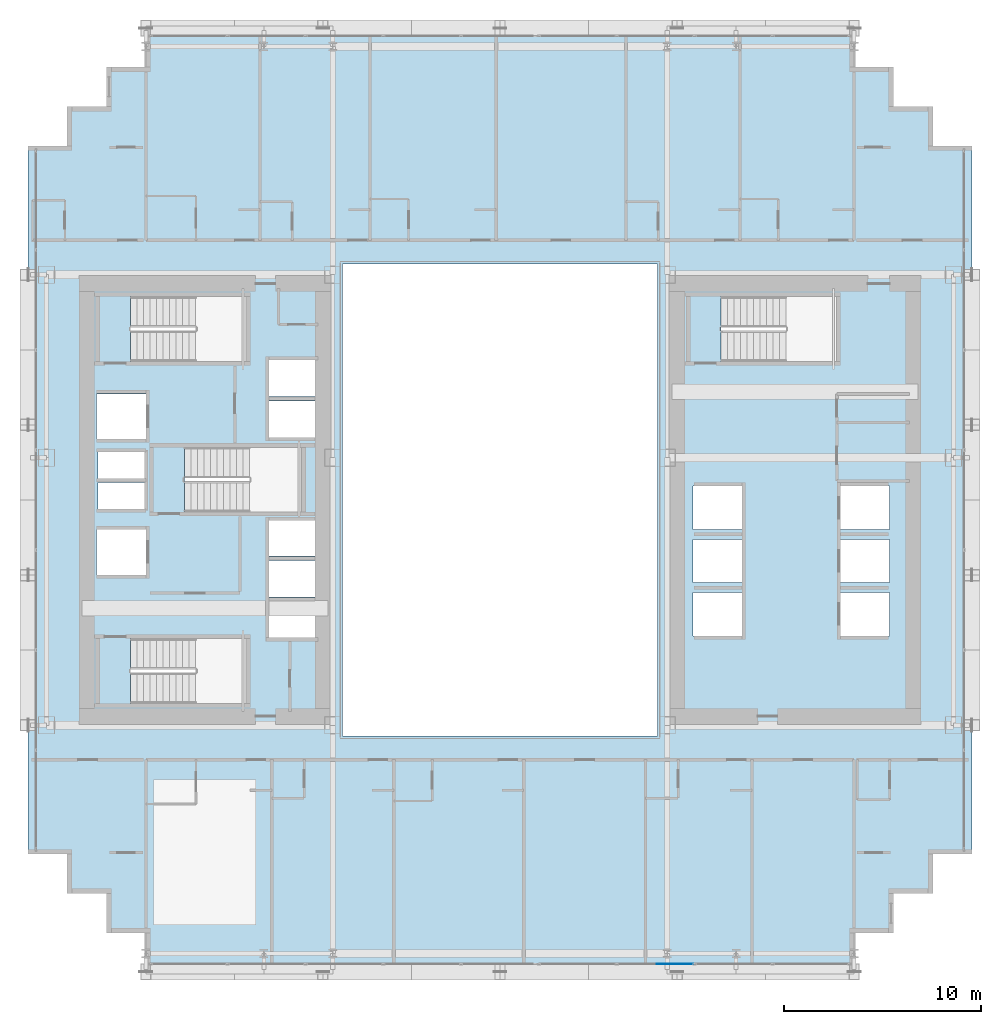
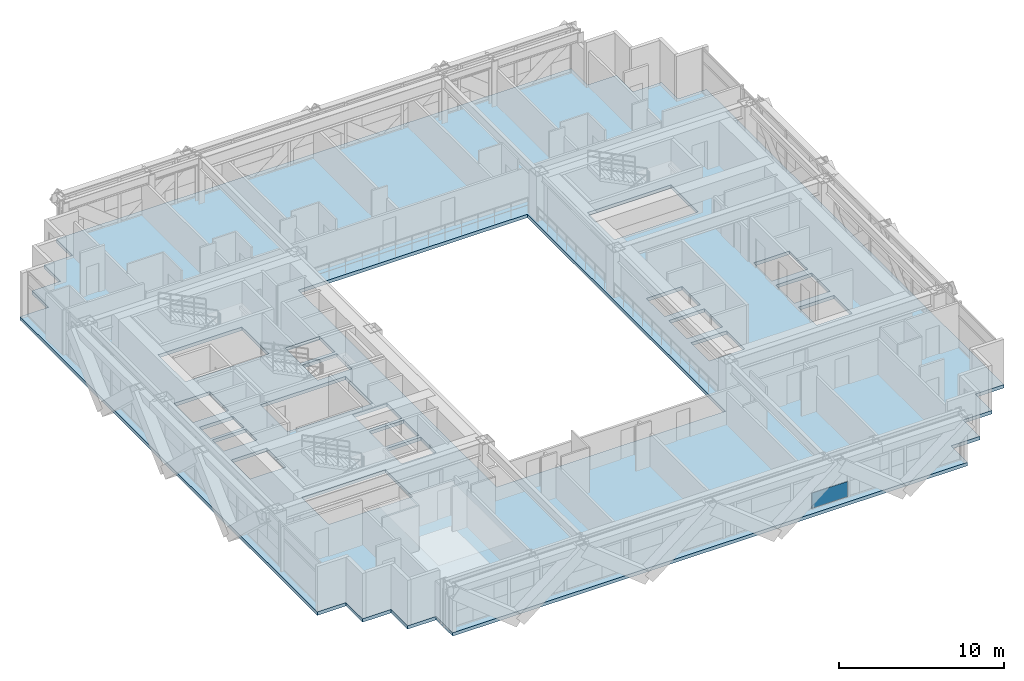
# One storey, part 25 of 38: 1 plate, 1 slab, 1 element without a shape of its own.
"""IFC4 building model written with IfcOpenShell, lengths in metres."""

from ifc_helpers import new_model, si_unit, direction, frame, origin, origin_2d, place, context, subcontext, project, spatial, polyline, rectangle, outline, extrude, source, transform, mapped, material, layer, layer_set, type_object, element, aggregate, save


model = new_model("IFC4")

# Units and contexts
model_context = context("Model", 3, precision=1e-05, world=origin(), true_north=direction((0.0, 1.0)))
body_context = subcontext(model_context, "Body", "Model", "MODEL_VIEW")
ifc_project = project(units=[si_unit("LENGTHUNIT", "METRE"), si_unit("AREAUNIT", "SQUARE_METRE"), si_unit("VOLUMEUNIT", "CUBIC_METRE"), si_unit("PLANEANGLEUNIT", "RADIAN"), si_unit("MASSUNIT", "GRAM", prefix="KILO")], contexts=[model_context])

# Site, building, storey
site_placement = place(None, origin())
site = spatial("IfcSite", under=ifc_project, at=site_placement, CompositionType="ELEMENT")
building_placement = place(site_placement, origin())
building = spatial("IfcBuilding", under=site, at=building_placement, Name="Ocotamira Hotel", CompositionType="ELEMENT")
storey_placement = place(building_placement, frame((0.0, 0.0, 45.60009765625)))
storey = spatial("IfcBuildingStorey", under=building, at=storey_placement, Name="L10", CompositionType="ELEMENT", Elevation=45.60009765625)

# Slab
ifc_material_1 = material(Name="Concrete C40/50", Category="concrete")
ifc_layer_1 = layer(ifc_material_1, 0.25)
ifc_layer_set_1 = layer_set([ifc_layer_1], Name="Concrete C40/50")
slab_type = type_object("IfcSlabType", Name="SLB-Z1-250", PredefinedType="FLOOR", material=ifc_layer_set_1)
slab_placement = place(storey_placement, frame((0.0, 0.0, -0.25)))
element("IfcSlab", 1, at=slab_placement, inside=storey, type_object=slab_type, Name="L10 Structural Floor Slab", PredefinedType="FLOOR", context=body_context, shape_type="SweptSolid", body=[
    extrude(outline(polyline([(14.0, 2.0), (50.0, 2.0), (50.0, 4.0), (52.0, 4.0), (52.0, 6.0), (54.0, 6.0), (54.0, 8.0), (56.0, 8.0), (56.0, 44.0), (54.0, 44.0), (54.0, 46.0), (52.0, 46.0), (52.0, 48.0), (50.0, 48.0), (50.0, 50.0), (14.0, 50.0), (14.0, 48.0), (12.0, 48.0), (12.0, 46.0), (10.0, 46.0), (10.0, 44.0), (8.0, 44.0), (8.0, 8.0), (10.0, 8.0), (10.0, 6.0), (12.0, 6.0), (12.0, 4.0), (14.0, 4.0), (14.0, 2.0)]), holes=[polyline([(24.0, 14.0), (40.0, 14.0), (40.0, 38.0), (24.0, 38.0), (24.0, 14.0)]), polyline([(13.22998046875, 15.669921875), (19.090087890625, 15.669921875), (19.090087890625, 18.949951171875), (13.22998046875, 18.949951171875), (13.22998046875, 15.669921875)]), polyline([(13.22998046875, 33.050048828125), (19.090087890625, 33.050048828125), (19.090087890625, 36.330078125), (13.22998046875, 36.330078125), (13.22998046875, 33.050048828125)]), polyline([(15.9599609375, 25.39990234375), (21.919921875, 25.39990234375), (21.919921875, 28.679931640625), (15.9599609375, 28.679931640625), (15.9599609375, 25.39990234375)]), polyline([(43.22998046875, 33.050048828125), (49.090087890625, 33.050048828125), (49.090087890625, 36.330078125), (43.22998046875, 36.330078125), (43.22998046875, 33.050048828125)]), polyline([(49.300048828125, 19.10009765625), (51.800048828125, 19.10009765625), (51.800048828125, 21.300048828125), (49.300048828125, 21.300048828125), (49.300048828125, 19.10009765625)]), polyline([(49.300048828125, 21.800048828125), (51.800048828125, 21.800048828125), (51.800048828125, 24.0), (49.300048828125, 24.0), (49.300048828125, 21.800048828125)]), polyline([(49.300048828125, 24.5), (51.800048828125, 24.5), (51.800048828125, 26.699951171875), (49.300048828125, 26.699951171875), (49.300048828125, 24.5)]), polyline([(41.800048828125, 19.10009765625), (44.300048828125, 19.10009765625), (44.300048828125, 21.300048828125), (41.800048828125, 21.300048828125), (41.800048828125, 19.10009765625)]), polyline([(41.800048828125, 21.800048828125), (44.300048828125, 21.800048828125), (44.300048828125, 24.0), (41.800048828125, 24.0), (41.800048828125, 21.800048828125)]), polyline([(41.800048828125, 24.5), (44.300048828125, 24.5), (44.300048828125, 26.699951171875), (41.800048828125, 26.699951171875), (41.800048828125, 24.5)]), polyline([(20.25, 19.0), (22.659912109375, 19.0), (22.659912109375, 20.85009765625), (20.25, 20.85009765625), (20.25, 19.0)]), polyline([(20.25, 21.080078125), (22.659912109375, 21.080078125), (22.659912109375, 22.929931640625), (20.25, 22.929931640625), (20.25, 21.080078125)]), polyline([(20.25, 23.159912109375), (22.659912109375, 23.159912109375), (22.659912109375, 24.9599609375), (20.25, 24.9599609375), (20.25, 23.159912109375)]), polyline([(20.25, 29.179931640625), (22.659912109375, 29.179931640625), (22.659912109375, 31.030029296875), (20.25, 31.030029296875), (20.25, 29.179931640625)]), polyline([(20.25, 31.260009765625), (22.659912109375, 31.260009765625), (22.659912109375, 33.110107421875), (20.25, 33.110107421875), (20.25, 31.260009765625)]), polyline([(11.5, 22.199951171875), (14.0, 22.199951171875), (14.0, 24.5), (11.5, 24.5), (11.5, 22.199951171875)]), polyline([(11.5, 29.10009765625), (14.0, 29.10009765625), (14.0, 31.39990234375), (11.5, 31.39990234375), (11.5, 29.10009765625)]), polyline([(11.580078125, 25.550048828125), (13.919921875, 25.550048828125), (13.919921875, 26.89990234375), (11.580078125, 26.89990234375), (11.580078125, 25.550048828125)]), polyline([(11.580078125, 27.10009765625), (13.919921875, 27.10009765625), (13.919921875, 28.449951171875), (11.580078125, 28.449951171875), (11.580078125, 27.10009765625)])]), origin(), (0.0, 0.0, 1.0), 0.25),
])

# Curtain wall, plate
ifc_material_2 = material(Name="Anodised pale-metal aluminium and solar glass", Category="aluminium")
ifc_layer_2 = layer(ifc_material_2, 0.179931640625)
ifc_layer_set_2 = layer_set([ifc_layer_2], Name="Anodised pale-metal aluminium and solar glass")
curtain_wall_type = type_object("IfcCurtainWallType", Name="CW-SYS2-Z1", PredefinedType="NOTDEFINED", material=ifc_layer_set_2)
curtain_wall_placement = place(storey_placement, origin())
curtain_wall = element("IfcCurtainWall", 2, at=curtain_wall_placement, inside=storey, type_object=curtain_wall_type, Name="L10 Curtain Wall CW-2 CW-L10-S1", PredefinedType="NOTDEFINED")
ifc_material_3 = material(Name="Double-silver low-E insulated solar glass", Category="glass")
ifc_layer_3 = layer(ifc_material_3, 0.031982421875)
ifc_layer_set_3 = layer_set([ifc_layer_3], Name="Double-silver low-E insulated solar glass")
plate_type = type_object("IfcPlateType", Name="CWP-VISION-32", PredefinedType="CURTAIN_PANEL", material=ifc_layer_set_3)
shared_shape = source(origin(), body_context, "Body", "SweptSolid", [
    extrude(rectangle(XDim=2.511474609375, YDim=0.031982421875, at=origin_2d()), origin(), (0.0, 0.0, 1.0), 1.118896484375),
])
plate_placement = place(storey_placement, frame((40.59326171875, 2.419921875, 0.07470703125), z_axis=(0.0, 0.0, 1.0), x_axis=(1.0, 0.0, 0.0)))
plate = element("IfcPlate", 3, at=plate_placement, type_object=plate_type, Name="CW-2 panel 7.1.1", PredefinedType="CURTAIN_PANEL", context=body_context, shape_type="MappedRepresentation", body=[
    mapped(shared_shape, transform((0.0, 0.0, 0.0), scale=1.0)),
])
aggregate(curtain_wall, [plate])

save(model, "model.ifc")
